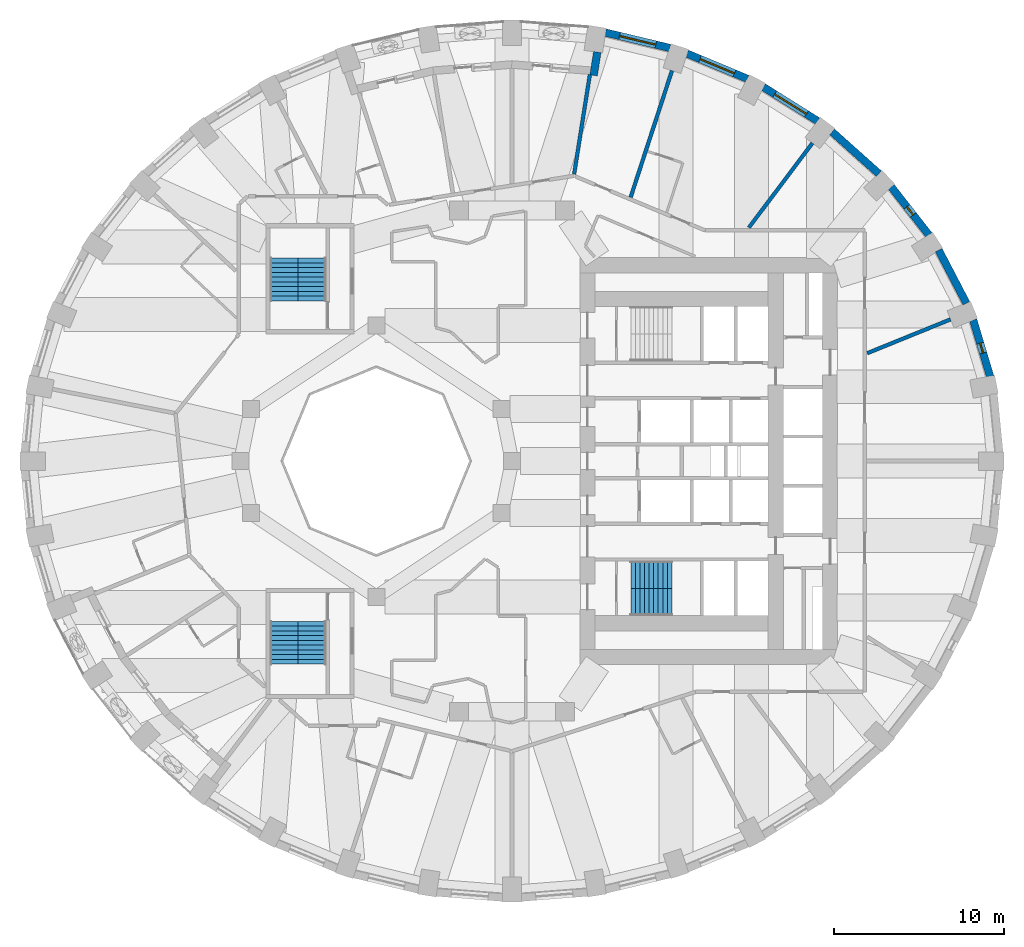
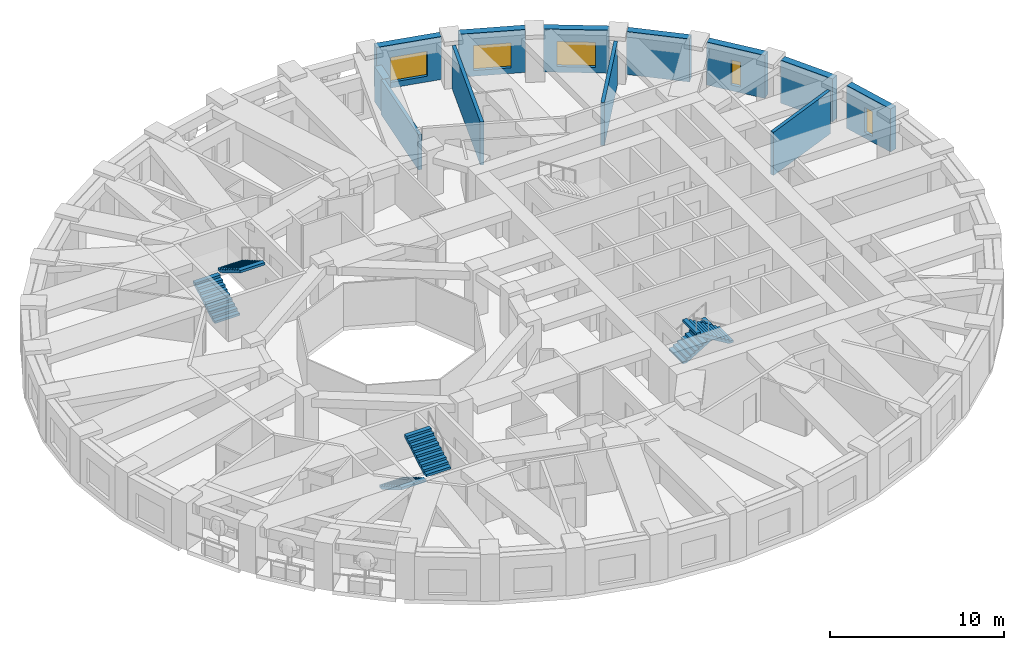
# One storey, part 9 of 13: 12 walls, 6 stair flights, 5 windows, 5 openings, 3 elements without a shape of their own.
"""IFC4 building model written with IfcOpenShell, lengths in metres."""

from ifc_helpers import new_model, si_unit, direction, frame, frame_2d, origin, place, context, subcontext, project, spatial, polyline, rectangle, outline, extrude, material, layer, layer_set, type_object, element, fill, aggregate, save


model = new_model("IFC4")

# Units and contexts
model_context = context("Model", 3, precision=1e-05, world=origin(), true_north=direction((0.0, 1.0)))
body_context = subcontext(model_context, "Body", "Model", "MODEL_VIEW")
ifc_project = project(units=[si_unit("LENGTHUNIT", "METRE"), si_unit("AREAUNIT", "SQUARE_METRE"), si_unit("VOLUMEUNIT", "CUBIC_METRE"), si_unit("PLANEANGLEUNIT", "RADIAN"), si_unit("MASSUNIT", "GRAM", prefix="KILO")], contexts=[model_context])

# Site, building, storey
site_placement = place(None, origin())
site = spatial("IfcSite", under=ifc_project, at=site_placement, CompositionType="ELEMENT")
building_placement = place(site_placement, origin())
building = spatial("IfcBuilding", under=site, at=building_placement, Name="Taillehof Tower", CompositionType="ELEMENT")
storey_placement = place(building_placement, frame((0.0, 0.0, 58.0)))
storey = spatial("IfcBuildingStorey", under=building, at=storey_placement, Name="L15", CompositionType="ELEMENT", Elevation=58.0)

# Wall, opening, window
ifc_material_1 = material(Name="Brick masonry", Category="masonry")
ifc_layer_1 = layer(ifc_material_1, 0.449951171875)
ifc_layer_set_1 = layer_set([ifc_layer_1], Name="Brick infill wall 450")
wall_type_1 = type_object("IfcWallType", Name="Brick infill wall 450", PredefinedType="SOLIDWALL", material=ifc_layer_set_1)
wall_1_placement = place(storey_placement, frame((28.181884765625, 4.995849609375, 0.0), z_axis=(0.0, 0.0, 1.0), x_axis=(-0.287064133733, 0.957911364963, 0.0)))
wall_1 = element("IfcWall", 1, at=wall_1_placement, inside=storey, type_object=wall_type_1, Name="Brick wall L15 bay 2", PredefinedType="SOLIDWALL", context=body_context, shape_type="SweptSolid", body=[
    extrude(rectangle(XDim=3.473388671875, YDim=0.449951171875, at=frame_2d((1.73681640625, 0.0))), origin(), (0.0, 0.0, 1.0), 3.02001953125),
])
opening_1_placement = place(wall_1_placement, frame((1.436767578125, 0.0, 0.39990234375)))
opening_1 = element("IfcOpeningElement", 2, at=opening_1_placement, cuts=wall_1, Name="Opening W6", PredefinedType="OPENING", context=body_context, shape_type="SweptSolid", body=[
    extrude(rectangle(XDim=0.60009765625, YDim=1.75, at=frame_2d((0.300048828125, 0.875))), frame((0.0, 0.23486328125, 0.0), z_axis=(0.0, -1.0, 0.0), x_axis=(1.0, 0.0, 0.0)), (0.0, 0.0, 1.0), 0.469970703125),
])
ifc_material_2 = material(Name="Aluminium window frame with clear double glazing", Category="aluminium")
window_type_1 = type_object("IfcWindowType", Name="Slot window 600x1750", PartitioningType="SINGLE_PANEL", PredefinedType="WINDOW", material=ifc_material_2)
window_1_placement = place(opening_1_placement, origin())
window_1 = element("IfcWindow", 3, at=window_1_placement, inside=storey, type_object=window_type_1, Name="W6", OverallHeight=1.75, OverallWidth=0.60009765625, PartitioningType="SINGLE_PANEL", PredefinedType="WINDOW", context=body_context, shape_type="SweptSolid", body=[
    extrude(rectangle(XDim=0.60009765625, YDim=1.75, at=frame_2d((0.300048828125, 0.875))), frame((0.0, 0.034912109375, 0.0), z_axis=(0.0, -1.0, 0.0), x_axis=(1.0, 0.0, 0.0)), (0.0, 0.0, 1.0), 0.06005859375),
])
fill(opening_1, window_1)

# Wall
wall_2_placement = place(storey_placement, frame((26.78564453125, 9.30517578125, 0.0), z_axis=(0.0, 0.0, 1.0), x_axis=(-0.462492775226, 0.886623050041, 0.0)))
element("IfcWall", 4, at=wall_2_placement, inside=storey, type_object=wall_type_1, Name="Brick wall L15 bay 3", PredefinedType="SOLIDWALL", context=body_context, shape_type="SweptSolid", body=[
    extrude(rectangle(XDim=3.531982421875, YDim=0.449951171875, at=frame_2d((1.76611328125, 0.0))), origin(), (0.0, 0.0, 1.0), 3.02001953125),
])

# Wall, opening, window
wall_3_placement = place(storey_placement, frame((24.57763671875, 13.327880859375, 0.0), z_axis=(0.0, 0.0, 1.0), x_axis=(-0.616661975264, 0.787228053529, 0.0)))
wall_3 = element("IfcWall", 5, at=wall_3_placement, inside=storey, type_object=wall_type_1, Name="Brick wall L15 bay 4", PredefinedType="SOLIDWALL", context=body_context, shape_type="SweptSolid", body=[
    extrude(rectangle(XDim=3.60986328125, YDim=0.449951171875, at=frame_2d((1.804931640625, 0.0))), origin(), (0.0, 0.0, 1.0), 3.02001953125),
])
opening_2_placement = place(wall_3_placement, frame((1.5048828125, 0.0, 0.39990234375)))
opening_2 = element("IfcOpeningElement", 6, at=opening_2_placement, cuts=wall_3, Name="Opening W6", PredefinedType="OPENING", context=body_context, shape_type="SweptSolid", body=[
    extrude(rectangle(XDim=0.60009765625, YDim=1.75, at=frame_2d((0.300048828125, 0.875))), frame((0.0, 0.23486328125, 0.0), z_axis=(0.0, -1.0, 0.0), x_axis=(1.0, 0.0, 0.0)), (0.0, 0.0, 1.0), 0.469970703125),
])
window_2_placement = place(opening_2_placement, origin())
window_2 = element("IfcWindow", 7, at=window_2_placement, inside=storey, type_object=window_type_1, Name="W6", OverallHeight=1.75, OverallWidth=0.60009765625, PartitioningType="SINGLE_PANEL", PredefinedType="WINDOW", context=body_context, shape_type="SweptSolid", body=[
    extrude(rectangle(XDim=0.60009765625, YDim=1.75, at=frame_2d((0.300048828125, 0.875))), frame((0.0, 0.034912109375, 0.0), z_axis=(0.0, -1.0, 0.0), x_axis=(1.0, 0.0, 0.0)), (0.0, 0.0, 1.0), 0.06005859375),
])
fill(opening_2, window_2)

# Wall
wall_4_placement = place(storey_placement, frame((21.626708984375, 16.943115234375, 0.0), z_axis=(0.0, 0.0, 1.0), x_axis=(-0.745526233716, 0.66647628228, 0.0)))
element("IfcWall", 8, at=wall_4_placement, inside=storey, type_object=wall_type_1, Name="Brick wall L15 bay 5", PredefinedType="SOLIDWALL", context=body_context, shape_type="SweptSolid", body=[
    extrude(rectangle(XDim=3.69677734375, YDim=0.449951171875, at=frame_2d((1.848388671875, 0.0))), origin(), (0.0, 0.0, 1.0), 3.02001953125),
])

# Wall, opening, window
wall_5_placement = place(storey_placement, frame((18.02294921875, 20.043701171875, 0.0), z_axis=(0.0, 0.0, 1.0), x_axis=(-0.847635480093, 0.530579016629, 0.0)))
wall_5 = element("IfcWall", 9, at=wall_5_placement, inside=storey, type_object=wall_type_1, Name="Brick wall L15 bay 6", PredefinedType="SOLIDWALL", context=body_context, shape_type="SweptSolid", body=[
    extrude(rectangle(XDim=3.782470703125, YDim=0.449951171875, at=frame_2d((1.89111328125, 0.0))), origin(), (0.0, 0.0, 1.0), 3.02001953125),
])
opening_3_placement = place(wall_5_placement, frame((0.791259765625, 0.0, 0.39990234375)))
opening_3 = element("IfcOpeningElement", 10, at=opening_3_placement, cuts=wall_5, Name="Opening W1", PredefinedType="OPENING", context=body_context, shape_type="SweptSolid", body=[
    extrude(rectangle(XDim=2.199951171875, YDim=1.75, at=frame_2d((1.10009765625, 0.875))), frame((0.0, 0.23486328125, 0.0), z_axis=(0.0, -1.0, 0.0), x_axis=(1.0, 0.0, 0.0)), (0.0, 0.0, 1.0), 0.469970703125),
])
ifc_material_3 = material(Name="Aluminium window frame with clear double glazing", Category="aluminium")
window_type_2 = type_object("IfcWindowType", Name="Deep-set window 2200x1750", PartitioningType="SINGLE_PANEL", PredefinedType="WINDOW", material=ifc_material_3)
window_3_placement = place(opening_3_placement, origin())
window_3 = element("IfcWindow", 11, at=window_3_placement, inside=storey, type_object=window_type_2, Name="W1", OverallHeight=1.75, OverallWidth=2.199951171875, PartitioningType="SINGLE_PANEL", PredefinedType="WINDOW", context=body_context, shape_type="SweptSolid", body=[
    extrude(rectangle(XDim=2.199951171875, YDim=1.75, at=frame_2d((1.10009765625, 0.875))), frame((0.0, 0.034912109375, 0.0), z_axis=(0.0, -1.0, 0.0), x_axis=(1.0, 0.0, 0.0)), (0.0, 0.0, 1.0), 0.06005859375),
])
fill(opening_3, window_3)

wall_6_placement = place(storey_placement, frame((13.875, 22.537353515625, 0.0), z_axis=(0.0, 0.0, 1.0), x_axis=(-0.923031964282, 0.384723267966, 0.0)))
wall_6 = element("IfcWall", 12, at=wall_6_placement, inside=storey, type_object=wall_type_1, Name="Brick wall L15 bay 7", PredefinedType="SOLIDWALL", context=body_context, shape_type="SweptSolid", body=[
    extrude(rectangle(XDim=3.8564453125, YDim=0.449951171875, at=frame_2d((1.92822265625, 0.0))), origin(), (0.0, 0.0, 1.0), 3.02001953125),
])
opening_4_placement = place(wall_6_placement, frame((0.828125, 0.0, 0.39990234375)))
opening_4 = element("IfcOpeningElement", 13, at=opening_4_placement, cuts=wall_6, Name="Opening W1", PredefinedType="OPENING", context=body_context, shape_type="SweptSolid", body=[
    extrude(rectangle(XDim=2.199951171875, YDim=1.75, at=frame_2d((1.10009765625, 0.875))), frame((0.0, 0.23486328125, 0.0), z_axis=(0.0, -1.0, 0.0), x_axis=(1.0, 0.0, 0.0)), (0.0, 0.0, 1.0), 0.469970703125),
])
window_4_placement = place(opening_4_placement, origin())
window_4 = element("IfcWindow", 14, at=window_4_placement, inside=storey, type_object=window_type_2, Name="W1", OverallHeight=1.75, OverallWidth=2.199951171875, PartitioningType="SINGLE_PANEL", PredefinedType="WINDOW", context=body_context, shape_type="SweptSolid", body=[
    extrude(rectangle(XDim=2.199951171875, YDim=1.75, at=frame_2d((1.10009765625, 0.875))), frame((0.0, 0.034912109375, 0.0), z_axis=(0.0, -1.0, 0.0), x_axis=(1.0, 0.0, 0.0)), (0.0, 0.0, 1.0), 0.06005859375),
])
fill(opening_4, window_4)

wall_7_placement = place(storey_placement, frame((9.3076171875, 24.349609375, 0.0), z_axis=(0.0, 0.0, 1.0), x_axis=(-0.972496561493, 0.232917233979, 0.0)))
wall_7 = element("IfcWall", 15, at=wall_7_placement, inside=storey, type_object=wall_type_1, Name="Brick wall L15 bay 8", PredefinedType="SOLIDWALL", context=body_context, shape_type="SweptSolid", body=[
    extrude(rectangle(XDim=3.910888671875, YDim=0.449951171875, at=frame_2d((1.95556640625, 0.0))), origin(), (0.0, 0.0, 1.0), 3.02001953125),
])
opening_5_placement = place(wall_7_placement, frame((0.855224609375, 0.0, 0.39990234375)))
opening_5 = element("IfcOpeningElement", 16, at=opening_5_placement, cuts=wall_7, Name="Opening W1", PredefinedType="OPENING", context=body_context, shape_type="SweptSolid", body=[
    extrude(rectangle(XDim=2.199951171875, YDim=1.75, at=frame_2d((1.10009765625, 0.875))), frame((0.0, 0.23486328125, 0.0), z_axis=(0.0, -1.0, 0.0), x_axis=(1.0, 0.0, 0.0)), (0.0, 0.0, 1.0), 0.469970703125),
])
window_5_placement = place(opening_5_placement, origin())
window_5 = element("IfcWindow", 17, at=window_5_placement, inside=storey, type_object=window_type_2, Name="W1", OverallHeight=1.75, OverallWidth=2.199951171875, PartitioningType="SINGLE_PANEL", PredefinedType="WINDOW", context=body_context, shape_type="SweptSolid", body=[
    extrude(rectangle(XDim=2.199951171875, YDim=1.75, at=frame_2d((1.10009765625, 0.875))), frame((0.0, 0.034912109375, 0.0), z_axis=(0.0, -1.0, 0.0), x_axis=(1.0, 0.0, 0.0)), (0.0, 0.0, 1.0), 0.06005859375),
])
fill(opening_5, window_5)

# Walls
wall_8_placement = place(storey_placement, frame((5.02685546875, 24.108154296875, 0.0), z_axis=(0.0, 0.0, 1.0), x_axis=(-0.156133927791, -0.98773589415, 0.0)))
element("IfcWall", 18, at=wall_8_placement, inside=storey, type_object=wall_type_1, Name="Brick reveal L15 pocket 2", PredefinedType="SOLIDWALL", context=body_context, shape_type="SweptSolid", body=[
    extrude(rectangle(XDim=1.39013671875, YDim=0.449951171875, at=frame_2d((0.695068359375, 0.0))), origin(), (0.0, 0.0, 1.0), 2.469970703125),
])
ifc_material_4 = material(Name="Gypsum board on double steel studs with mineral wool", Category="steel")
ifc_layer_2 = layer(ifc_material_4, 0.219970703125)
ifc_layer_set_2 = layer_set([ifc_layer_2], Name="Compartment wall guest room 220")
wall_type_2 = type_object("IfcWallType", Name="Compartment wall guest room 220", PredefinedType="PARTITIONING", material=ifc_layer_set_2)
wall_9_placement = place(storey_placement, frame((25.851318359375, 8.35400390625, 0.0), z_axis=(0.0, 0.0, 1.0), x_axis=(-0.926546814299, -0.376179479653, 0.0)))
element("IfcWall", 19, at=wall_9_placement, inside=storey, type_object=wall_type_2, Name="Compartment wall", PredefinedType="PARTITIONING", context=body_context, shape_type="SweptSolid", body=[
    extrude(rectangle(XDim=5.3037109375, YDim=0.219970703125, at=frame_2d((2.65185546875, 0.0))), origin(), (0.0, 0.0, 1.0), 3.02001953125),
])
wall_10_placement = place(storey_placement, frame((17.707763671875, 18.7431640625, 0.0), z_axis=(0.0, 0.0, 1.0), x_axis=(-0.601177883261, -0.799115231164, 0.0)))
element("IfcWall", 20, at=wall_10_placement, inside=storey, type_object=wall_type_2, Name="Compartment wall", PredefinedType="PARTITIONING", context=body_context, shape_type="SweptSolid", body=[
    extrude(rectangle(XDim=6.231201171875, YDim=0.219970703125, at=frame_2d((3.11572265625, 0.0))), origin(), (0.0, 0.0, 1.0), 3.02001953125),
])
wall_11_placement = place(storey_placement, frame((9.429443359375, 23.01416015625, 0.0), z_axis=(0.0, 0.0, 1.0), x_axis=(-0.310230839568, -0.950661257326, 0.0)))
element("IfcWall", 21, at=wall_11_placement, inside=storey, type_object=wall_type_2, Name="Compartment wall", PredefinedType="PARTITIONING", context=body_context, shape_type="SweptSolid", body=[
    extrude(rectangle(XDim=7.84912109375, YDim=0.219970703125, at=frame_2d((3.924560546875, 0.0))), origin(), (0.0, 0.0, 1.0), 3.02001953125),
])
wall_12_placement = place(storey_placement, frame((4.590576171875, 22.78857421875, 0.0), z_axis=(0.0, 0.0, 1.0), x_axis=(-0.156126964527, -0.987736994826, 0.0)))
element("IfcWall", 22, at=wall_12_placement, inside=storey, type_object=wall_type_2, Name="Compartment wall", PredefinedType="PARTITIONING", context=body_context, shape_type="SweptSolid", body=[
    extrude(rectangle(XDim=5.948486328125, YDim=0.219970703125, at=frame_2d((2.97412109375, 0.0))), origin(), (0.0, 0.0, 1.0), 2.469970703125),
])

# Stair, stair flights
ifc_material_5 = material(Name="Concrete C40/50", Category="concrete")
stair_type = type_object("IfcStairType", Name="Exit stair half-turn", PredefinedType="HALF_TURN_STAIR", material=ifc_material_5)
stair_1_placement = place(storey_placement, origin())
stair_1 = element("IfcStair", 23, at=stair_1_placement, inside=storey, type_object=stair_type, Name="Exit stair S2", PredefinedType="HALF_TURN_STAIR")
ifc_material_6 = material(Name="Concrete C40/50", Category="concrete")
stair_flight_type_1 = type_object("IfcStairFlightType", Name="Stair flight 1600 riser 165.0 going 270", PredefinedType="STRAIGHT", material=ifc_material_6)
stair_flight_1_placement = place(storey_placement, frame((7.0, -6.699951171875, 0.0), z_axis=(0.0, 0.0, 1.0), x_axis=(1.0, 0.0, 0.0)))
stair_flight_1 = element("IfcStairFlight", 24, at=stair_flight_1_placement, type_object=stair_flight_type_1, Name="S2 flight 1", NumberOfRisers=10, NumberOfTreads=9, PredefinedType="STRAIGHT", RiserHeight=0.165, TreadLength=0.27, context=body_context, shape_type="SweptSolid", body=[
    extrude(outline(polyline([(0.0, 0.0), (0.0, 0.00537109375), (0.0, 0.0107421875), (0.0, 0.015869140625), (0.0, 0.021240234375), (0.0, 0.026611328125), (0.0, 0.031982421875), (0.0, 0.037353515625), (0.0, 0.04248046875), (0.0, 0.0478515625), (0.0, 0.05322265625), (0.0, 0.05859375), (0.0, 0.06396484375), (0.0, 0.069091796875), (0.0, 0.074462890625), (0.0, 0.079833984375), (0.0, 0.085205078125), (0.0, 0.090576171875), (0.0, 0.095703125), (0.0, 0.10107421875), (0.0, 0.1064453125), (0.0, 0.11181640625), (0.0, 0.1171875), (0.0, 0.122314453125), (0.0, 0.127685546875), (0.0, 0.133056640625), (0.0, 0.138427734375), (0.0, 0.143798828125), (0.0, 0.14892578125), (0.0, 0.154296875), (0.0, 0.15966796875), (0.0, 0.1650390625), (0.27001953125, 0.1650390625), (0.27001953125, 0.330078125), (0.5400390625, 0.330078125), (0.5400390625, 0.4951171875), (0.81005859375, 0.4951171875), (0.81005859375, 0.659912109375), (1.080078125, 0.659912109375), (1.080078125, 0.824951171875), (1.35009765625, 0.824951171875), (1.35009765625, 0.989990234375), (1.6201171875, 0.989990234375), (1.6201171875, 1.155029296875), (1.889892578125, 1.155029296875), (1.889892578125, 1.320068359375), (2.159912109375, 1.320068359375), (2.159912109375, 1.485107421875), (2.429931640625, 1.485107421875), (2.429931640625, 1.479248046875), (2.429931640625, 1.4736328125), (2.429931640625, 1.468017578125), (2.429931640625, 1.46240234375), (2.429931640625, 1.45654296875), (2.429931640625, 1.450927734375), (2.429931640625, 1.4453125), (2.429931640625, 1.439697265625), (2.429931640625, 1.43408203125), (2.429931640625, 1.42822265625), (2.429931640625, 1.422607421875), (2.429931640625, 1.4169921875), (2.429931640625, 1.411376953125), (2.429931640625, 1.40576171875), (2.429931640625, 1.39990234375), (2.429931640625, 1.394287109375), (2.429931640625, 1.388671875), (2.429931640625, 1.383056640625), (2.429931640625, 1.37744140625), (2.429931640625, 1.37158203125), (2.429931640625, 1.365966796875), (2.429931640625, 1.3603515625), (2.429931640625, 1.354736328125), (2.429931640625, 1.348876953125), (2.429931640625, 1.34326171875), (2.429931640625, 1.337646484375), (2.429931640625, 1.33203125), (2.429931640625, 1.326416015625), (2.429931640625, 1.320556640625), (2.429931640625, 1.31494140625), (2.429931640625, 1.309326171875), (0.287353515625, 0.0), (0.0, 0.0)])), frame((0.0, 0.800048828125, 0.0), z_axis=(0.0, -1.0, 0.0), x_axis=(1.0, 0.0, 0.0)), (0.0, 0.0, 1.0), 1.6),
])
stair_flight_2_placement = place(storey_placement, frame((9.429931640625, -8.300048828125, 1.64990234375), z_axis=(0.0, 0.0, 1.0), x_axis=(-1.0, 0.0, 0.0)))
stair_flight_2 = element("IfcStairFlight", 25, at=stair_flight_2_placement, type_object=stair_flight_type_1, Name="S2 flight 2", NumberOfRisers=10, NumberOfTreads=9, PredefinedType="STRAIGHT", RiserHeight=0.165, TreadLength=0.27, context=body_context, shape_type="SweptSolid", body=[
    extrude(outline(polyline([(0.0, 0.0), (0.0, 0.00537109375), (0.0, 0.0107421875), (0.0, 0.015869140625), (0.0, 0.021240234375), (0.0, 0.026611328125), (0.0, 0.031982421875), (0.0, 0.037353515625), (0.0, 0.04248046875), (0.0, 0.0478515625), (0.0, 0.05322265625), (0.0, 0.05859375), (0.0, 0.06396484375), (0.0, 0.069091796875), (0.0, 0.074462890625), (0.0, 0.079833984375), (0.0, 0.085205078125), (0.0, 0.090576171875), (0.0, 0.095703125), (0.0, 0.10107421875), (0.0, 0.1064453125), (0.0, 0.11181640625), (0.0, 0.1171875), (0.0, 0.122314453125), (0.0, 0.127685546875), (0.0, 0.133056640625), (0.0, 0.138427734375), (0.0, 0.143798828125), (0.0, 0.14892578125), (0.0, 0.154296875), (0.0, 0.15966796875), (0.0, 0.1650390625), (0.27001953125, 0.1650390625), (0.27001953125, 0.330078125), (0.5400390625, 0.330078125), (0.5400390625, 0.4951171875), (0.81005859375, 0.4951171875), (0.81005859375, 0.659912109375), (1.080078125, 0.659912109375), (1.080078125, 0.824951171875), (1.35009765625, 0.824951171875), (1.35009765625, 0.989990234375), (1.6201171875, 0.989990234375), (1.6201171875, 1.155029296875), (1.889892578125, 1.155029296875), (1.889892578125, 1.320068359375), (2.159912109375, 1.320068359375), (2.159912109375, 1.485107421875), (2.429931640625, 1.485107421875), (2.429931640625, 1.479248046875), (2.429931640625, 1.4736328125), (2.429931640625, 1.468017578125), (2.429931640625, 1.46240234375), (2.429931640625, 1.45654296875), (2.429931640625, 1.450927734375), (2.429931640625, 1.4453125), (2.429931640625, 1.439697265625), (2.429931640625, 1.43408203125), (2.429931640625, 1.42822265625), (2.429931640625, 1.422607421875), (2.429931640625, 1.4169921875), (2.429931640625, 1.411376953125), (2.429931640625, 1.40576171875), (2.429931640625, 1.39990234375), (2.429931640625, 1.394287109375), (2.429931640625, 1.388671875), (2.429931640625, 1.383056640625), (2.429931640625, 1.37744140625), (2.429931640625, 1.37158203125), (2.429931640625, 1.365966796875), (2.429931640625, 1.3603515625), (2.429931640625, 1.354736328125), (2.429931640625, 1.348876953125), (2.429931640625, 1.34326171875), (2.429931640625, 1.337646484375), (2.429931640625, 1.33203125), (2.429931640625, 1.326416015625), (2.429931640625, 1.320556640625), (2.429931640625, 1.31494140625), (2.429931640625, 1.309326171875), (0.287353515625, 0.0), (0.0, 0.0)])), frame((0.0, 0.800048828125, 0.0), z_axis=(0.0, -1.0, 0.0), x_axis=(1.0, 0.0, 0.0)), (0.0, 0.0, 1.0), 1.6),
])
aggregate(stair_1, [stair_flight_1, stair_flight_2])

stair_2_placement = place(storey_placement, origin())
stair_2 = element("IfcStair", 26, at=stair_2_placement, inside=storey, type_object=stair_type, Name="Exit stair S3", PredefinedType="HALF_TURN_STAIR")
ifc_material_7 = material(Name="Concrete C40/50", Category="concrete")
stair_flight_type_2 = type_object("IfcStairFlightType", Name="Stair flight 1650 riser 165.0 going 280", PredefinedType="STRAIGHT", material=ifc_material_7)
stair_flight_3_placement = place(storey_placement, frame((-13.425048828125, 9.449951171875, 0.0), z_axis=(0.0, 0.0, 1.0), x_axis=(0.0, 1.0, 0.0)))
stair_flight_3 = element("IfcStairFlight", 27, at=stair_flight_3_placement, type_object=stair_flight_type_2, Name="S3 flight 1", NumberOfRisers=10, NumberOfTreads=9, PredefinedType="STRAIGHT", RiserHeight=0.165, TreadLength=0.28, context=body_context, shape_type="SweptSolid", body=[
    extrude(outline(polyline([(0.0, 0.0), (0.0, 0.00537109375), (0.0, 0.0107421875), (0.0, 0.015869140625), (0.0, 0.021240234375), (0.0, 0.026611328125), (0.0, 0.031982421875), (0.0, 0.037353515625), (0.0, 0.04248046875), (0.0, 0.0478515625), (0.0, 0.05322265625), (0.0, 0.05859375), (0.0, 0.06396484375), (0.0, 0.069091796875), (0.0, 0.074462890625), (0.0, 0.079833984375), (0.0, 0.085205078125), (0.0, 0.090576171875), (0.0, 0.095703125), (0.0, 0.10107421875), (0.0, 0.1064453125), (0.0, 0.11181640625), (0.0, 0.1171875), (0.0, 0.122314453125), (0.0, 0.127685546875), (0.0, 0.133056640625), (0.0, 0.138427734375), (0.0, 0.143798828125), (0.0, 0.14892578125), (0.0, 0.154296875), (0.0, 0.15966796875), (0.0, 0.1650390625), (0.280029296875, 0.1650390625), (0.280029296875, 0.330078125), (0.56005859375, 0.330078125), (0.56005859375, 0.4951171875), (0.840087890625, 0.4951171875), (0.840087890625, 0.659912109375), (1.1201171875, 0.659912109375), (1.1201171875, 0.824951171875), (1.39990234375, 0.824951171875), (1.39990234375, 0.989990234375), (1.679931640625, 0.989990234375), (1.679931640625, 1.155029296875), (1.9599609375, 1.155029296875), (1.9599609375, 1.320068359375), (2.239990234375, 1.320068359375), (2.239990234375, 1.485107421875), (2.52001953125, 1.485107421875), (2.52001953125, 1.4794921875), (2.52001953125, 1.473876953125), (2.52001953125, 1.46826171875), (2.52001953125, 1.462646484375), (2.52001953125, 1.45703125), (2.52001953125, 1.451416015625), (2.52001953125, 1.44580078125), (2.52001953125, 1.440185546875), (2.52001953125, 1.4345703125), (2.52001953125, 1.428955078125), (2.52001953125, 1.42333984375), (2.52001953125, 1.417724609375), (2.52001953125, 1.412109375), (2.52001953125, 1.406494140625), (2.52001953125, 1.40087890625), (2.52001953125, 1.395263671875), (2.52001953125, 1.3896484375), (2.52001953125, 1.384033203125), (2.52001953125, 1.37841796875), (2.52001953125, 1.372802734375), (2.52001953125, 1.3671875), (2.52001953125, 1.361572265625), (2.52001953125, 1.35595703125), (2.52001953125, 1.350341796875), (2.52001953125, 1.3447265625), (2.52001953125, 1.339111328125), (2.52001953125, 1.33349609375), (2.52001953125, 1.327880859375), (2.52001953125, 1.322265625), (2.52001953125, 1.316650390625), (2.52001953125, 1.31103515625), (0.295166015625, 0.0), (0.0, 0.0)])), frame((0.0, 0.824951171875, 0.0), z_axis=(0.0, -1.0, 0.0), x_axis=(1.0, 0.0, 0.0)), (0.0, 0.0, 1.0), 1.65),
])
stair_flight_4_placement = place(storey_placement, frame((-11.77490234375, 11.969970703125, 1.64990234375), z_axis=(0.0, 0.0, 1.0), x_axis=(0.0, -1.0, 0.0)))
stair_flight_4 = element("IfcStairFlight", 28, at=stair_flight_4_placement, type_object=stair_flight_type_2, Name="S3 flight 2", NumberOfRisers=10, NumberOfTreads=9, PredefinedType="STRAIGHT", RiserHeight=0.165, TreadLength=0.28, context=body_context, shape_type="SweptSolid", body=[
    extrude(outline(polyline([(0.0, 0.0), (0.0, 0.00537109375), (0.0, 0.0107421875), (0.0, 0.015869140625), (0.0, 0.021240234375), (0.0, 0.026611328125), (0.0, 0.031982421875), (0.0, 0.037353515625), (0.0, 0.04248046875), (0.0, 0.0478515625), (0.0, 0.05322265625), (0.0, 0.05859375), (0.0, 0.06396484375), (0.0, 0.069091796875), (0.0, 0.074462890625), (0.0, 0.079833984375), (0.0, 0.085205078125), (0.0, 0.090576171875), (0.0, 0.095703125), (0.0, 0.10107421875), (0.0, 0.1064453125), (0.0, 0.11181640625), (0.0, 0.1171875), (0.0, 0.122314453125), (0.0, 0.127685546875), (0.0, 0.133056640625), (0.0, 0.138427734375), (0.0, 0.143798828125), (0.0, 0.14892578125), (0.0, 0.154296875), (0.0, 0.15966796875), (0.0, 0.1650390625), (0.280029296875, 0.1650390625), (0.280029296875, 0.330078125), (0.56005859375, 0.330078125), (0.56005859375, 0.4951171875), (0.840087890625, 0.4951171875), (0.840087890625, 0.659912109375), (1.1201171875, 0.659912109375), (1.1201171875, 0.824951171875), (1.39990234375, 0.824951171875), (1.39990234375, 0.989990234375), (1.679931640625, 0.989990234375), (1.679931640625, 1.155029296875), (1.9599609375, 1.155029296875), (1.9599609375, 1.320068359375), (2.239990234375, 1.320068359375), (2.239990234375, 1.485107421875), (2.52001953125, 1.485107421875), (2.52001953125, 1.4794921875), (2.52001953125, 1.473876953125), (2.52001953125, 1.46826171875), (2.52001953125, 1.462646484375), (2.52001953125, 1.45703125), (2.52001953125, 1.451416015625), (2.52001953125, 1.44580078125), (2.52001953125, 1.440185546875), (2.52001953125, 1.4345703125), (2.52001953125, 1.428955078125), (2.52001953125, 1.42333984375), (2.52001953125, 1.417724609375), (2.52001953125, 1.412109375), (2.52001953125, 1.406494140625), (2.52001953125, 1.40087890625), (2.52001953125, 1.395263671875), (2.52001953125, 1.3896484375), (2.52001953125, 1.384033203125), (2.52001953125, 1.37841796875), (2.52001953125, 1.372802734375), (2.52001953125, 1.3671875), (2.52001953125, 1.361572265625), (2.52001953125, 1.35595703125), (2.52001953125, 1.350341796875), (2.52001953125, 1.3447265625), (2.52001953125, 1.339111328125), (2.52001953125, 1.33349609375), (2.52001953125, 1.327880859375), (2.52001953125, 1.322265625), (2.52001953125, 1.316650390625), (2.52001953125, 1.31103515625), (0.295166015625, 0.0), (0.0, 0.0)])), frame((0.0, 0.824951171875, 0.0), z_axis=(0.0, -1.0, 0.0), x_axis=(1.0, 0.0, 0.0)), (0.0, 0.0, 1.0), 1.65),
])
aggregate(stair_2, [stair_flight_3, stair_flight_4])

stair_3_placement = place(storey_placement, origin())
stair_3 = element("IfcStair", 29, at=stair_3_placement, inside=storey, type_object=stair_type, Name="Exit stair S4", PredefinedType="HALF_TURN_STAIR")
stair_flight_5_placement = place(storey_placement, frame((-13.425048828125, -9.449951171875, 0.0), z_axis=(0.0, 0.0, 1.0), x_axis=(0.0, -1.0, 0.0)))
stair_flight_5 = element("IfcStairFlight", 30, at=stair_flight_5_placement, type_object=stair_flight_type_2, Name="S4 flight 1", NumberOfRisers=10, NumberOfTreads=9, PredefinedType="STRAIGHT", RiserHeight=0.165, TreadLength=0.28, context=body_context, shape_type="SweptSolid", body=[
    extrude(outline(polyline([(0.0, 0.0), (0.0, 0.00537109375), (0.0, 0.0107421875), (0.0, 0.015869140625), (0.0, 0.021240234375), (0.0, 0.026611328125), (0.0, 0.031982421875), (0.0, 0.037353515625), (0.0, 0.04248046875), (0.0, 0.0478515625), (0.0, 0.05322265625), (0.0, 0.05859375), (0.0, 0.06396484375), (0.0, 0.069091796875), (0.0, 0.074462890625), (0.0, 0.079833984375), (0.0, 0.085205078125), (0.0, 0.090576171875), (0.0, 0.095703125), (0.0, 0.10107421875), (0.0, 0.1064453125), (0.0, 0.11181640625), (0.0, 0.1171875), (0.0, 0.122314453125), (0.0, 0.127685546875), (0.0, 0.133056640625), (0.0, 0.138427734375), (0.0, 0.143798828125), (0.0, 0.14892578125), (0.0, 0.154296875), (0.0, 0.15966796875), (0.0, 0.1650390625), (0.280029296875, 0.1650390625), (0.280029296875, 0.330078125), (0.56005859375, 0.330078125), (0.56005859375, 0.4951171875), (0.840087890625, 0.4951171875), (0.840087890625, 0.659912109375), (1.1201171875, 0.659912109375), (1.1201171875, 0.824951171875), (1.39990234375, 0.824951171875), (1.39990234375, 0.989990234375), (1.679931640625, 0.989990234375), (1.679931640625, 1.155029296875), (1.9599609375, 1.155029296875), (1.9599609375, 1.320068359375), (2.239990234375, 1.320068359375), (2.239990234375, 1.485107421875), (2.52001953125, 1.485107421875), (2.52001953125, 1.4794921875), (2.52001953125, 1.473876953125), (2.52001953125, 1.46826171875), (2.52001953125, 1.462646484375), (2.52001953125, 1.45703125), (2.52001953125, 1.451416015625), (2.52001953125, 1.44580078125), (2.52001953125, 1.440185546875), (2.52001953125, 1.4345703125), (2.52001953125, 1.428955078125), (2.52001953125, 1.42333984375), (2.52001953125, 1.417724609375), (2.52001953125, 1.412109375), (2.52001953125, 1.406494140625), (2.52001953125, 1.40087890625), (2.52001953125, 1.395263671875), (2.52001953125, 1.3896484375), (2.52001953125, 1.384033203125), (2.52001953125, 1.37841796875), (2.52001953125, 1.372802734375), (2.52001953125, 1.3671875), (2.52001953125, 1.361572265625), (2.52001953125, 1.35595703125), (2.52001953125, 1.350341796875), (2.52001953125, 1.3447265625), (2.52001953125, 1.339111328125), (2.52001953125, 1.33349609375), (2.52001953125, 1.327880859375), (2.52001953125, 1.322265625), (2.52001953125, 1.316650390625), (2.52001953125, 1.31103515625), (0.295166015625, 0.0), (0.0, 0.0)])), frame((0.0, 0.824951171875, 0.0), z_axis=(0.0, -1.0, 0.0), x_axis=(1.0, 0.0, 0.0)), (0.0, 0.0, 1.0), 1.65),
])
stair_flight_6_placement = place(storey_placement, frame((-11.77490234375, -11.969970703125, 1.64990234375), z_axis=(0.0, 0.0, 1.0), x_axis=(0.0, 1.0, 0.0)))
stair_flight_6 = element("IfcStairFlight", 31, at=stair_flight_6_placement, type_object=stair_flight_type_2, Name="S4 flight 2", NumberOfRisers=10, NumberOfTreads=9, PredefinedType="STRAIGHT", RiserHeight=0.165, TreadLength=0.28, context=body_context, shape_type="SweptSolid", body=[
    extrude(outline(polyline([(0.0, 0.0), (0.0, 0.00537109375), (0.0, 0.0107421875), (0.0, 0.015869140625), (0.0, 0.021240234375), (0.0, 0.026611328125), (0.0, 0.031982421875), (0.0, 0.037353515625), (0.0, 0.04248046875), (0.0, 0.0478515625), (0.0, 0.05322265625), (0.0, 0.05859375), (0.0, 0.06396484375), (0.0, 0.069091796875), (0.0, 0.074462890625), (0.0, 0.079833984375), (0.0, 0.085205078125), (0.0, 0.090576171875), (0.0, 0.095703125), (0.0, 0.10107421875), (0.0, 0.1064453125), (0.0, 0.11181640625), (0.0, 0.1171875), (0.0, 0.122314453125), (0.0, 0.127685546875), (0.0, 0.133056640625), (0.0, 0.138427734375), (0.0, 0.143798828125), (0.0, 0.14892578125), (0.0, 0.154296875), (0.0, 0.15966796875), (0.0, 0.1650390625), (0.280029296875, 0.1650390625), (0.280029296875, 0.330078125), (0.56005859375, 0.330078125), (0.56005859375, 0.4951171875), (0.840087890625, 0.4951171875), (0.840087890625, 0.659912109375), (1.1201171875, 0.659912109375), (1.1201171875, 0.824951171875), (1.39990234375, 0.824951171875), (1.39990234375, 0.989990234375), (1.679931640625, 0.989990234375), (1.679931640625, 1.155029296875), (1.9599609375, 1.155029296875), (1.9599609375, 1.320068359375), (2.239990234375, 1.320068359375), (2.239990234375, 1.485107421875), (2.52001953125, 1.485107421875), (2.52001953125, 1.4794921875), (2.52001953125, 1.473876953125), (2.52001953125, 1.46826171875), (2.52001953125, 1.462646484375), (2.52001953125, 1.45703125), (2.52001953125, 1.451416015625), (2.52001953125, 1.44580078125), (2.52001953125, 1.440185546875), (2.52001953125, 1.4345703125), (2.52001953125, 1.428955078125), (2.52001953125, 1.42333984375), (2.52001953125, 1.417724609375), (2.52001953125, 1.412109375), (2.52001953125, 1.406494140625), (2.52001953125, 1.40087890625), (2.52001953125, 1.395263671875), (2.52001953125, 1.3896484375), (2.52001953125, 1.384033203125), (2.52001953125, 1.37841796875), (2.52001953125, 1.372802734375), (2.52001953125, 1.3671875), (2.52001953125, 1.361572265625), (2.52001953125, 1.35595703125), (2.52001953125, 1.350341796875), (2.52001953125, 1.3447265625), (2.52001953125, 1.339111328125), (2.52001953125, 1.33349609375), (2.52001953125, 1.327880859375), (2.52001953125, 1.322265625), (2.52001953125, 1.316650390625), (2.52001953125, 1.31103515625), (0.295166015625, 0.0), (0.0, 0.0)])), frame((0.0, 0.824951171875, 0.0), z_axis=(0.0, -1.0, 0.0), x_axis=(1.0, 0.0, 0.0)), (0.0, 0.0, 1.0), 1.65),
])
aggregate(stair_3, [stair_flight_5, stair_flight_6])

save(model, "model.ifc")
